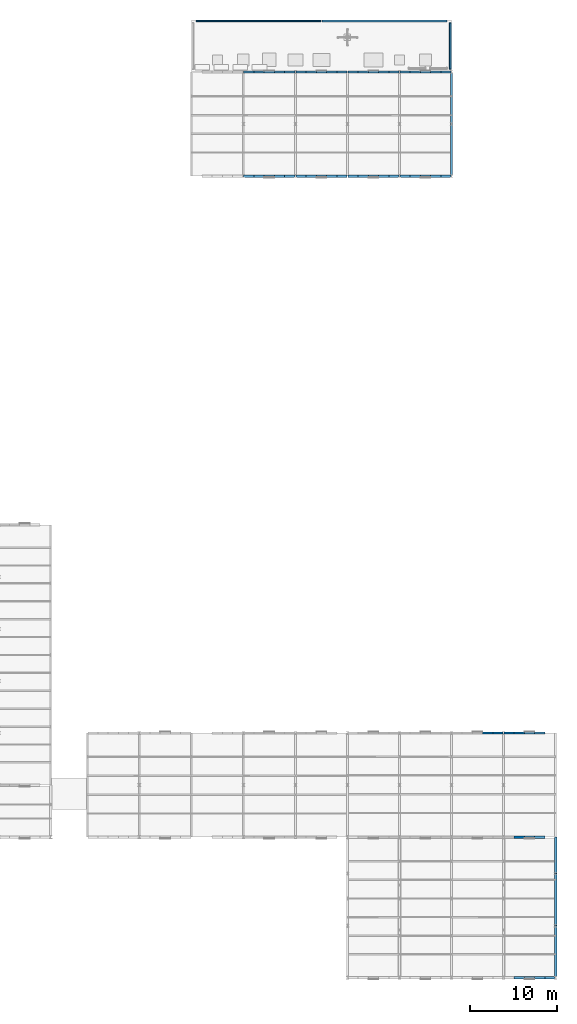
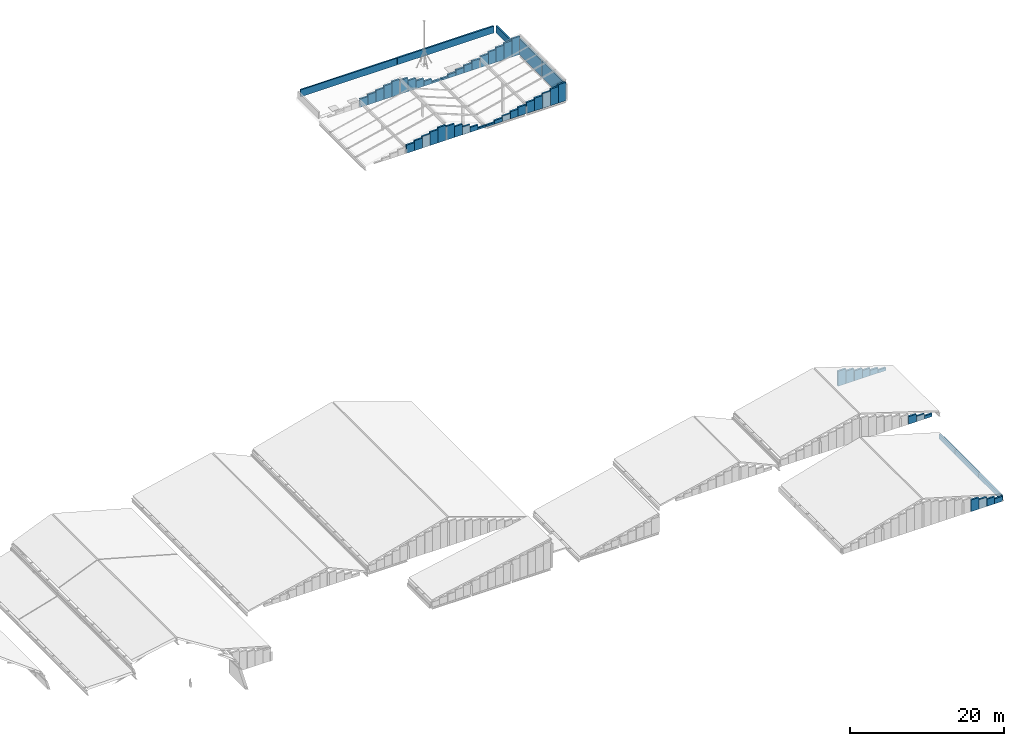
# One storey, part 67 of 74: 61 walls.
"""IFC4 building model written with IfcOpenShell, lengths in metres."""

from ifc_helpers import new_model, si_unit, direction, frame, frame_2d, origin, place, context, subcontext, project, spatial, rectangle, extrude, material, layer, layer_set, type_object, element, save


model = new_model("IFC4")

# Units and contexts
model_context = context("Model", 3, precision=1e-05, world=origin(), true_north=direction((0.0, 1.0)))
body_context = subcontext(model_context, "Body", "Model", "MODEL_VIEW")
ifc_project = project(units=[si_unit("LENGTHUNIT", "METRE"), si_unit("AREAUNIT", "SQUARE_METRE"), si_unit("VOLUMEUNIT", "CUBIC_METRE"), si_unit("PLANEANGLEUNIT", "RADIAN"), si_unit("MASSUNIT", "GRAM", prefix="KILO")], contexts=[model_context])

# Site, building, storey
site_placement = place(None, origin())
site = spatial("IfcSite", under=ifc_project, at=site_placement, CompositionType="ELEMENT")
building_placement = place(site_placement, origin())
building = spatial("IfcBuilding", under=site, at=building_placement, Name="Siltcreek Boulevard Central Fire Station", CompositionType="ELEMENT")
storey_placement = place(building_placement, frame((0.0, 0.0, 25.199951171875)))
storey = spatial("IfcBuildingStorey", under=building, at=storey_placement, Name="RF", CompositionType="ELEMENT", Elevation=25.199951171875)

# Walls
ifc_material_1 = material(Name="Western Red Cedar insulated gable wall", Category="wood")
ifc_layer_1 = layer(ifc_material_1, 0.264892578125, Name="Western Red Cedar insulated gable wall")
ifc_layer_set_1 = layer_set([ifc_layer_1], Name="Western Red Cedar insulated gable wall")
wall_type_1 = type_object("IfcWallType", Name="EW_CEDAR265", PredefinedType="STANDARD", material=ifc_layer_set_1)
wall_1_placement = place(storey_placement, frame((130.2451171875, 94.199951171875, -3.599853515625), z_axis=(0.0, 0.0, 1.0), x_axis=(1.0, 0.0, 0.0)))
element("IfcWall", 1, at=wall_1_placement, inside=storey, type_object=wall_type_1, Name="Roof gable timber-lined enclosure wall RF-V5W-0239", PredefinedType="STANDARD", context=body_context, shape_type="SweptSolid", body=[
    extrude(rectangle(XDim=1.181884765625, YDim=0.264892578125, at=frame_2d((0.5908203125, 0.0))), origin(), (0.0, 0.0, 1.0), 1.293701171875),
])
wall_2_placement = place(storey_placement, frame((131.427001953125, 94.199951171875, -3.599853515625), z_axis=(0.0, 0.0, 1.0), x_axis=(1.0, 0.0, 0.0)))
element("IfcWall", 2, at=wall_2_placement, inside=storey, type_object=wall_type_1, Name="Roof gable timber-lined enclosure wall RF-V5W-0240", PredefinedType="STANDARD", context=body_context, shape_type="SweptSolid", body=[
    extrude(rectangle(XDim=1.181884765625, YDim=0.264892578125, at=frame_2d((0.5908203125, 0.0))), origin(), (0.0, 0.0, 1.0), 1.569580078125),
])
wall_3_placement = place(storey_placement, frame((132.60888671875, 94.199951171875, -3.599853515625), z_axis=(0.0, 0.0, 1.0), x_axis=(1.0, 0.0, 0.0)))
element("IfcWall", 3, at=wall_3_placement, inside=storey, type_object=wall_type_1, Name="Roof gable timber-lined enclosure wall RF-V5W-0241", PredefinedType="STANDARD", context=body_context, shape_type="SweptSolid", body=[
    extrude(rectangle(XDim=1.18212890625, YDim=0.264892578125, at=frame_2d((0.591064453125, 0.0))), origin(), (0.0, 0.0, 1.0), 1.84521484375),
])
wall_4_placement = place(storey_placement, frame((133.791015625, 94.199951171875, -3.599853515625), z_axis=(0.0, 0.0, 1.0), x_axis=(1.0, 0.0, 0.0)))
element("IfcWall", 4, at=wall_4_placement, inside=storey, type_object=wall_type_1, Name="Roof gable timber-lined enclosure wall RF-V5W-0242", PredefinedType="STANDARD", context=body_context, shape_type="SweptSolid", body=[
    extrude(rectangle(XDim=1.181884765625, YDim=0.264892578125, at=frame_2d((0.5908203125, 0.0))), origin(), (0.0, 0.0, 1.0), 2.12109375),
])
wall_5_placement = place(storey_placement, frame((134.972900390625, 94.199951171875, -3.599853515625), z_axis=(0.0, 0.0, 1.0), x_axis=(1.0, 0.0, 0.0)))
element("IfcWall", 5, at=wall_5_placement, inside=storey, type_object=wall_type_1, Name="Roof gable timber-lined enclosure wall RF-V5W-0243", PredefinedType="STANDARD", context=body_context, shape_type="SweptSolid", body=[
    extrude(rectangle(XDim=1.18212890625, YDim=0.264892578125, at=frame_2d((0.591064453125, 0.0))), origin(), (0.0, 0.0, 1.0), 2.39697265625),
])
wall_6_placement = place(storey_placement, frame((131.427001953125, 106.199951171875, -3.599853515625), z_axis=(0.0, 0.0, 1.0), x_axis=(-1.0, 0.0, 0.0)))
element("IfcWall", 6, at=wall_6_placement, inside=storey, type_object=wall_type_1, Name="Roof gable timber-lined enclosure wall RF-V5W-0248", PredefinedType="STANDARD", context=body_context, shape_type="SweptSolid", body=[
    extrude(rectangle(XDim=1.181884765625, YDim=0.264892578125, at=frame_2d((0.5908203125, 0.0))), origin(), (0.0, 0.0, 1.0), 1.293701171875),
])
wall_7_placement = place(storey_placement, frame((132.60888671875, 106.199951171875, -3.599853515625), z_axis=(0.0, 0.0, 1.0), x_axis=(-1.0, 0.0, 0.0)))
element("IfcWall", 7, at=wall_7_placement, inside=storey, type_object=wall_type_1, Name="Roof gable timber-lined enclosure wall RF-V5W-0249", PredefinedType="STANDARD", context=body_context, shape_type="SweptSolid", body=[
    extrude(rectangle(XDim=1.181884765625, YDim=0.264892578125, at=frame_2d((0.5908203125, 0.0))), origin(), (0.0, 0.0, 1.0), 1.569580078125),
])
wall_8_placement = place(storey_placement, frame((133.791015625, 106.199951171875, -3.599853515625), z_axis=(0.0, 0.0, 1.0), x_axis=(-1.0, 0.0, 0.0)))
element("IfcWall", 8, at=wall_8_placement, inside=storey, type_object=wall_type_1, Name="Roof gable timber-lined enclosure wall RF-V5W-0250", PredefinedType="STANDARD", context=body_context, shape_type="SweptSolid", body=[
    extrude(rectangle(XDim=1.18212890625, YDim=0.264892578125, at=frame_2d((0.591064453125, 0.0))), origin(), (0.0, 0.0, 1.0), 1.84521484375),
])
wall_9_placement = place(storey_placement, frame((134.972900390625, 106.199951171875, -3.599853515625), z_axis=(0.0, 0.0, 1.0), x_axis=(-1.0, 0.0, 0.0)))
element("IfcWall", 9, at=wall_9_placement, inside=storey, type_object=wall_type_1, Name="Roof gable timber-lined enclosure wall RF-V5W-0251", PredefinedType="STANDARD", context=body_context, shape_type="SweptSolid", body=[
    extrude(rectangle(XDim=1.181884765625, YDim=0.264892578125, at=frame_2d((0.5908203125, 0.0))), origin(), (0.0, 0.0, 1.0), 2.12109375),
])
wall_10_placement = place(storey_placement, frame((136.155029296875, 106.199951171875, -3.599853515625), z_axis=(0.0, 0.0, 1.0), x_axis=(-1.0, 0.0, 0.0)))
element("IfcWall", 10, at=wall_10_placement, inside=storey, type_object=wall_type_1, Name="Roof gable timber-lined enclosure wall RF-V5W-0252", PredefinedType="STANDARD", context=body_context, shape_type="SweptSolid", body=[
    extrude(rectangle(XDim=1.18212890625, YDim=0.264892578125, at=frame_2d((0.591064453125, 0.0))), origin(), (0.0, 0.0, 1.0), 2.39697265625),
])
wall_11_placement = place(storey_placement, frame((136.2451171875, 94.199951171875, -3.599853515625), z_axis=(0.0, 0.0, 1.0), x_axis=(1.0, 0.0, 0.0)))
element("IfcWall", 11, at=wall_11_placement, inside=storey, type_object=wall_type_1, Name="Roof gable timber-lined enclosure wall RF-V5M-0253", PredefinedType="STANDARD", context=body_context, shape_type="SweptSolid", body=[
    extrude(rectangle(XDim=1.181884765625, YDim=0.264892578125, at=frame_2d((0.5908203125, 0.0))), origin(), (0.0, 0.0, 1.0), 2.1796875),
])
wall_12_placement = place(storey_placement, frame((137.427001953125, 94.199951171875, -3.599853515625), z_axis=(0.0, 0.0, 1.0), x_axis=(1.0, 0.0, 0.0)))
element("IfcWall", 12, at=wall_12_placement, inside=storey, type_object=wall_type_1, Name="Roof gable timber-lined enclosure wall RF-V5M-0254", PredefinedType="STANDARD", context=body_context, shape_type="SweptSolid", body=[
    extrude(rectangle(XDim=1.181884765625, YDim=0.264892578125, at=frame_2d((0.5908203125, 0.0))), origin(), (0.0, 0.0, 1.0), 1.70703125),
])
wall_13_placement = place(storey_placement, frame((138.60888671875, 94.199951171875, -3.599853515625), z_axis=(0.0, 0.0, 1.0), x_axis=(1.0, 0.0, 0.0)))
element("IfcWall", 13, at=wall_13_placement, inside=storey, type_object=wall_type_1, Name="Roof gable timber-lined enclosure wall RF-V5M-0255", PredefinedType="STANDARD", context=body_context, shape_type="SweptSolid", body=[
    extrude(rectangle(XDim=1.18212890625, YDim=0.264892578125, at=frame_2d((0.591064453125, 0.0))), origin(), (0.0, 0.0, 1.0), 1.234130859375),
])
wall_14_placement = place(storey_placement, frame((139.791015625, 94.199951171875, -3.599853515625), z_axis=(0.0, 0.0, 1.0), x_axis=(1.0, 0.0, 0.0)))
element("IfcWall", 14, at=wall_14_placement, inside=storey, type_object=wall_type_1, Name="Roof gable timber-lined enclosure wall RF-V5M-0256", PredefinedType="STANDARD", context=body_context, shape_type="SweptSolid", body=[
    extrude(rectangle(XDim=1.181884765625, YDim=0.264892578125, at=frame_2d((0.5908203125, 0.0))), origin(), (0.0, 0.0, 1.0), 0.761474609375),
])
wall_15_placement = place(storey_placement, frame((140.972900390625, 94.199951171875, -3.599853515625), z_axis=(0.0, 0.0, 1.0), x_axis=(1.0, 0.0, 0.0)))
element("IfcWall", 15, at=wall_15_placement, inside=storey, type_object=wall_type_1, Name="Roof gable timber-lined enclosure wall RF-V5M-0257", PredefinedType="STANDARD", context=body_context, shape_type="SweptSolid", body=[
    extrude(rectangle(XDim=1.18212890625, YDim=0.264892578125, at=frame_2d((0.591064453125, 0.0))), origin(), (0.0, 0.0, 1.0), 0.28857421875),
])
wall_16_placement = place(storey_placement, frame((137.427001953125, 106.199951171875, -3.599853515625), z_axis=(0.0, 0.0, 1.0), x_axis=(-1.0, 0.0, 0.0)))
element("IfcWall", 16, at=wall_16_placement, inside=storey, type_object=wall_type_1, Name="Roof gable timber-lined enclosure wall RF-V5M-0258", PredefinedType="STANDARD", context=body_context, shape_type="SweptSolid", body=[
    extrude(rectangle(XDim=1.181884765625, YDim=0.264892578125, at=frame_2d((0.5908203125, 0.0))), origin(), (0.0, 0.0, 1.0), 2.1796875),
])
wall_17_placement = place(storey_placement, frame((138.60888671875, 106.199951171875, -3.599853515625), z_axis=(0.0, 0.0, 1.0), x_axis=(-1.0, 0.0, 0.0)))
element("IfcWall", 17, at=wall_17_placement, inside=storey, type_object=wall_type_1, Name="Roof gable timber-lined enclosure wall RF-V5M-0259", PredefinedType="STANDARD", context=body_context, shape_type="SweptSolid", body=[
    extrude(rectangle(XDim=1.181884765625, YDim=0.264892578125, at=frame_2d((0.5908203125, 0.0))), origin(), (0.0, 0.0, 1.0), 1.70703125),
])
wall_18_placement = place(storey_placement, frame((139.791015625, 106.199951171875, -3.599853515625), z_axis=(0.0, 0.0, 1.0), x_axis=(-1.0, 0.0, 0.0)))
element("IfcWall", 18, at=wall_18_placement, inside=storey, type_object=wall_type_1, Name="Roof gable timber-lined enclosure wall RF-V5M-0260", PredefinedType="STANDARD", context=body_context, shape_type="SweptSolid", body=[
    extrude(rectangle(XDim=1.18212890625, YDim=0.264892578125, at=frame_2d((0.591064453125, 0.0))), origin(), (0.0, 0.0, 1.0), 1.234130859375),
])
wall_19_placement = place(storey_placement, frame((140.972900390625, 106.199951171875, -3.599853515625), z_axis=(0.0, 0.0, 1.0), x_axis=(-1.0, 0.0, 0.0)))
element("IfcWall", 19, at=wall_19_placement, inside=storey, type_object=wall_type_1, Name="Roof gable timber-lined enclosure wall RF-V5M-0261", PredefinedType="STANDARD", context=body_context, shape_type="SweptSolid", body=[
    extrude(rectangle(XDim=1.181884765625, YDim=0.264892578125, at=frame_2d((0.5908203125, 0.0))), origin(), (0.0, 0.0, 1.0), 0.761474609375),
])
wall_20_placement = place(storey_placement, frame((142.155029296875, 106.199951171875, -3.599853515625), z_axis=(0.0, 0.0, 1.0), x_axis=(-1.0, 0.0, 0.0)))
element("IfcWall", 20, at=wall_20_placement, inside=storey, type_object=wall_type_1, Name="Roof gable timber-lined enclosure wall RF-V5M-0262", PredefinedType="STANDARD", context=body_context, shape_type="SweptSolid", body=[
    extrude(rectangle(XDim=1.18212890625, YDim=0.264892578125, at=frame_2d((0.591064453125, 0.0))), origin(), (0.0, 0.0, 1.0), 0.28857421875),
])
wall_21_placement = place(storey_placement, frame((142.2451171875, 94.199951171875, -3.599853515625), z_axis=(0.0, 0.0, 1.0), x_axis=(1.0, 0.0, 0.0)))
element("IfcWall", 21, at=wall_21_placement, inside=storey, type_object=wall_type_1, Name="Roof gable timber-lined enclosure wall RF-V5E-0263", PredefinedType="STANDARD", context=body_context, shape_type="SweptSolid", body=[
    extrude(rectangle(XDim=1.181884765625, YDim=0.264892578125, at=frame_2d((0.5908203125, 0.0))), origin(), (0.0, 0.0, 1.0), 0.293701171875),
])
wall_22_placement = place(storey_placement, frame((143.427001953125, 94.199951171875, -3.599853515625), z_axis=(0.0, 0.0, 1.0), x_axis=(1.0, 0.0, 0.0)))
element("IfcWall", 22, at=wall_22_placement, inside=storey, type_object=wall_type_1, Name="Roof gable timber-lined enclosure wall RF-V5E-0264", PredefinedType="STANDARD", context=body_context, shape_type="SweptSolid", body=[
    extrude(rectangle(XDim=1.181884765625, YDim=0.264892578125, at=frame_2d((0.5908203125, 0.0))), origin(), (0.0, 0.0, 1.0), 0.5791015625),
])
wall_23_placement = place(storey_placement, frame((144.60888671875, 94.199951171875, -3.599853515625), z_axis=(0.0, 0.0, 1.0), x_axis=(1.0, 0.0, 0.0)))
element("IfcWall", 23, at=wall_23_placement, inside=storey, type_object=wall_type_1, Name="Roof gable timber-lined enclosure wall RF-V5E-0265", PredefinedType="STANDARD", context=body_context, shape_type="SweptSolid", body=[
    extrude(rectangle(XDim=1.18212890625, YDim=0.264892578125, at=frame_2d((0.591064453125, 0.0))), origin(), (0.0, 0.0, 1.0), 0.864990234375),
])
wall_24_placement = place(storey_placement, frame((145.791015625, 94.199951171875, -3.599853515625), z_axis=(0.0, 0.0, 1.0), x_axis=(1.0, 0.0, 0.0)))
element("IfcWall", 24, at=wall_24_placement, inside=storey, type_object=wall_type_1, Name="Roof gable timber-lined enclosure wall RF-V5E-0266", PredefinedType="STANDARD", context=body_context, shape_type="SweptSolid", body=[
    extrude(rectangle(XDim=1.181884765625, YDim=0.264892578125, at=frame_2d((0.5908203125, 0.0))), origin(), (0.0, 0.0, 1.0), 1.150390625),
])
wall_25_placement = place(storey_placement, frame((146.972900390625, 94.199951171875, -3.599853515625), z_axis=(0.0, 0.0, 1.0), x_axis=(1.0, 0.0, 0.0)))
element("IfcWall", 25, at=wall_25_placement, inside=storey, type_object=wall_type_1, Name="Roof gable timber-lined enclosure wall RF-V5E-0267", PredefinedType="STANDARD", context=body_context, shape_type="SweptSolid", body=[
    extrude(rectangle(XDim=1.18212890625, YDim=0.264892578125, at=frame_2d((0.591064453125, 0.0))), origin(), (0.0, 0.0, 1.0), 1.436279296875),
])
wall_26_placement = place(storey_placement, frame((148.2451171875, 94.199951171875, -3.599853515625), z_axis=(0.0, 0.0, 1.0), x_axis=(1.0, 0.0, 0.0)))
element("IfcWall", 26, at=wall_26_placement, inside=storey, type_object=wall_type_1, Name="Roof gable timber-lined enclosure wall RF-V5E-0268", PredefinedType="STANDARD", context=body_context, shape_type="SweptSolid", body=[
    extrude(rectangle(XDim=1.181884765625, YDim=0.264892578125, at=frame_2d((0.5908203125, 0.0))), origin(), (0.0, 0.0, 1.0), 1.74365234375),
])
wall_27_placement = place(storey_placement, frame((149.427001953125, 94.199951171875, -3.599853515625), z_axis=(0.0, 0.0, 1.0), x_axis=(1.0, 0.0, 0.0)))
element("IfcWall", 27, at=wall_27_placement, inside=storey, type_object=wall_type_1, Name="Roof gable timber-lined enclosure wall RF-V5E-0269", PredefinedType="STANDARD", context=body_context, shape_type="SweptSolid", body=[
    extrude(rectangle(XDim=1.181884765625, YDim=0.264892578125, at=frame_2d((0.5908203125, 0.0))), origin(), (0.0, 0.0, 1.0), 2.029296875),
])
wall_28_placement = place(storey_placement, frame((150.60888671875, 94.199951171875, -3.599853515625), z_axis=(0.0, 0.0, 1.0), x_axis=(1.0, 0.0, 0.0)))
element("IfcWall", 28, at=wall_28_placement, inside=storey, type_object=wall_type_1, Name="Roof gable timber-lined enclosure wall RF-V5E-0270", PredefinedType="STANDARD", context=body_context, shape_type="SweptSolid", body=[
    extrude(rectangle(XDim=1.18212890625, YDim=0.264892578125, at=frame_2d((0.591064453125, 0.0))), origin(), (0.0, 0.0, 1.0), 2.31494140625),
])
wall_29_placement = place(storey_placement, frame((151.791015625, 94.199951171875, -3.599853515625), z_axis=(0.0, 0.0, 1.0), x_axis=(1.0, 0.0, 0.0)))
element("IfcWall", 29, at=wall_29_placement, inside=storey, type_object=wall_type_1, Name="Roof gable timber-lined enclosure wall RF-V5E-0271", PredefinedType="STANDARD", context=body_context, shape_type="SweptSolid", body=[
    extrude(rectangle(XDim=1.181884765625, YDim=0.264892578125, at=frame_2d((0.5908203125, 0.0))), origin(), (0.0, 0.0, 1.0), 2.6005859375),
])
wall_30_placement = place(storey_placement, frame((152.972900390625, 94.199951171875, -3.599853515625), z_axis=(0.0, 0.0, 1.0), x_axis=(1.0, 0.0, 0.0)))
element("IfcWall", 30, at=wall_30_placement, inside=storey, type_object=wall_type_1, Name="Roof gable timber-lined enclosure wall RF-V5E-0272", PredefinedType="STANDARD", context=body_context, shape_type="SweptSolid", body=[
    extrude(rectangle(XDim=1.18212890625, YDim=0.264892578125, at=frame_2d((0.591064453125, 0.0))), origin(), (0.0, 0.0, 1.0), 2.88623046875),
])
wall_31_placement = place(storey_placement, frame((143.427001953125, 106.199951171875, -3.599853515625), z_axis=(0.0, 0.0, 1.0), x_axis=(-1.0, 0.0, 0.0)))
element("IfcWall", 31, at=wall_31_placement, inside=storey, type_object=wall_type_1, Name="Roof gable timber-lined enclosure wall RF-V5E-0273", PredefinedType="STANDARD", context=body_context, shape_type="SweptSolid", body=[
    extrude(rectangle(XDim=1.181884765625, YDim=0.264892578125, at=frame_2d((0.5908203125, 0.0))), origin(), (0.0, 0.0, 1.0), 0.293701171875),
])
wall_32_placement = place(storey_placement, frame((144.60888671875, 106.199951171875, -3.599853515625), z_axis=(0.0, 0.0, 1.0), x_axis=(-1.0, 0.0, 0.0)))
element("IfcWall", 32, at=wall_32_placement, inside=storey, type_object=wall_type_1, Name="Roof gable timber-lined enclosure wall RF-V5E-0274", PredefinedType="STANDARD", context=body_context, shape_type="SweptSolid", body=[
    extrude(rectangle(XDim=1.181884765625, YDim=0.264892578125, at=frame_2d((0.5908203125, 0.0))), origin(), (0.0, 0.0, 1.0), 0.5791015625),
])
wall_33_placement = place(storey_placement, frame((145.791015625, 106.199951171875, -3.599853515625), z_axis=(0.0, 0.0, 1.0), x_axis=(-1.0, 0.0, 0.0)))
element("IfcWall", 33, at=wall_33_placement, inside=storey, type_object=wall_type_1, Name="Roof gable timber-lined enclosure wall RF-V5E-0275", PredefinedType="STANDARD", context=body_context, shape_type="SweptSolid", body=[
    extrude(rectangle(XDim=1.18212890625, YDim=0.264892578125, at=frame_2d((0.591064453125, 0.0))), origin(), (0.0, 0.0, 1.0), 0.864990234375),
])
wall_34_placement = place(storey_placement, frame((146.972900390625, 106.199951171875, -3.599853515625), z_axis=(0.0, 0.0, 1.0), x_axis=(-1.0, 0.0, 0.0)))
element("IfcWall", 34, at=wall_34_placement, inside=storey, type_object=wall_type_1, Name="Roof gable timber-lined enclosure wall RF-V5E-0276", PredefinedType="STANDARD", context=body_context, shape_type="SweptSolid", body=[
    extrude(rectangle(XDim=1.181884765625, YDim=0.264892578125, at=frame_2d((0.5908203125, 0.0))), origin(), (0.0, 0.0, 1.0), 1.150390625),
])
wall_35_placement = place(storey_placement, frame((148.155029296875, 106.199951171875, -3.599853515625), z_axis=(0.0, 0.0, 1.0), x_axis=(-1.0, 0.0, 0.0)))
element("IfcWall", 35, at=wall_35_placement, inside=storey, type_object=wall_type_1, Name="Roof gable timber-lined enclosure wall RF-V5E-0277", PredefinedType="STANDARD", context=body_context, shape_type="SweptSolid", body=[
    extrude(rectangle(XDim=1.18212890625, YDim=0.264892578125, at=frame_2d((0.591064453125, 0.0))), origin(), (0.0, 0.0, 1.0), 1.436279296875),
])
wall_36_placement = place(storey_placement, frame((149.427001953125, 106.199951171875, -3.599853515625), z_axis=(0.0, 0.0, 1.0), x_axis=(-1.0, 0.0, 0.0)))
element("IfcWall", 36, at=wall_36_placement, inside=storey, type_object=wall_type_1, Name="Roof gable timber-lined enclosure wall RF-V5E-0278", PredefinedType="STANDARD", context=body_context, shape_type="SweptSolid", body=[
    extrude(rectangle(XDim=1.181884765625, YDim=0.264892578125, at=frame_2d((0.5908203125, 0.0))), origin(), (0.0, 0.0, 1.0), 1.74365234375),
])
wall_37_placement = place(storey_placement, frame((150.60888671875, 106.199951171875, -3.599853515625), z_axis=(0.0, 0.0, 1.0), x_axis=(-1.0, 0.0, 0.0)))
element("IfcWall", 37, at=wall_37_placement, inside=storey, type_object=wall_type_1, Name="Roof gable timber-lined enclosure wall RF-V5E-0279", PredefinedType="STANDARD", context=body_context, shape_type="SweptSolid", body=[
    extrude(rectangle(XDim=1.181884765625, YDim=0.264892578125, at=frame_2d((0.5908203125, 0.0))), origin(), (0.0, 0.0, 1.0), 2.029296875),
])
wall_38_placement = place(storey_placement, frame((151.791015625, 106.199951171875, -3.599853515625), z_axis=(0.0, 0.0, 1.0), x_axis=(-1.0, 0.0, 0.0)))
element("IfcWall", 38, at=wall_38_placement, inside=storey, type_object=wall_type_1, Name="Roof gable timber-lined enclosure wall RF-V5E-0280", PredefinedType="STANDARD", context=body_context, shape_type="SweptSolid", body=[
    extrude(rectangle(XDim=1.18212890625, YDim=0.264892578125, at=frame_2d((0.591064453125, 0.0))), origin(), (0.0, 0.0, 1.0), 2.31494140625),
])
wall_39_placement = place(storey_placement, frame((152.972900390625, 106.199951171875, -3.599853515625), z_axis=(0.0, 0.0, 1.0), x_axis=(-1.0, 0.0, 0.0)))
element("IfcWall", 39, at=wall_39_placement, inside=storey, type_object=wall_type_1, Name="Roof gable timber-lined enclosure wall RF-V5E-0281", PredefinedType="STANDARD", context=body_context, shape_type="SweptSolid", body=[
    extrude(rectangle(XDim=1.181884765625, YDim=0.264892578125, at=frame_2d((0.5908203125, 0.0))), origin(), (0.0, 0.0, 1.0), 2.6005859375),
])
wall_40_placement = place(storey_placement, frame((154.155029296875, 106.199951171875, -3.599853515625), z_axis=(0.0, 0.0, 1.0), x_axis=(-1.0, 0.0, 0.0)))
element("IfcWall", 40, at=wall_40_placement, inside=storey, type_object=wall_type_1, Name="Roof gable timber-lined enclosure wall RF-V5E-0282", PredefinedType="STANDARD", context=body_context, shape_type="SweptSolid", body=[
    extrude(rectangle(XDim=1.18212890625, YDim=0.264892578125, at=frame_2d((0.591064453125, 0.0))), origin(), (0.0, 0.0, 1.0), 2.88623046875),
])
for number, where, z_axis, x_axis, name in (
    (41, (154.199951171875, 94.33251953125, -3.599853515625), (0.0, 0.0, 1.0), (0.0, 1.0, 0.0), "Roof step cheek enclosure wall RF-V5E-0283"),
    (42, (154.199951171875, 100.199951171875, -3.599853515625), (0.0, 0.0, 1.0), (0.0, 1.0, 0.0), "Roof step cheek enclosure wall RF-V5E-0284"),
):
    element("IfcWall", number, at=place(storey_placement, frame(where, z_axis=z_axis, x_axis=x_axis)), inside=storey, type_object=wall_type_1, Name=name, PredefinedType="STANDARD", context=body_context, shape_type="SweptSolid", body=[
        extrude(rectangle(XDim=5.867431640625, YDim=0.264892578125, at=frame_2d((2.93359375, 0.0))), origin(), (0.0, 0.0, 1.0), 2.577392578125),
    ])
wall_41_placement = place(storey_placement, frame((161.427001953125, 1.800048828125, -15.199951171875), z_axis=(0.0, 0.0, 1.0), x_axis=(1.0, 0.0, 0.0)))
element("IfcWall", 43, at=wall_41_placement, inside=storey, type_object=wall_type_1, Name="Roof gable timber-lined enclosure wall RF-H8E-TH-0346", PredefinedType="STANDARD", context=body_context, shape_type="SweptSolid", body=[
    extrude(rectangle(XDim=1.181884765625, YDim=0.264892578125, at=frame_2d((0.5908203125, 0.0))), origin(), (0.0, 0.0, 1.0), 1.826904296875),
])
wall_42_placement = place(storey_placement, frame((162.60888671875, 1.800048828125, -15.199951171875), z_axis=(0.0, 0.0, 1.0), x_axis=(1.0, 0.0, 0.0)))
element("IfcWall", 44, at=wall_42_placement, inside=storey, type_object=wall_type_1, Name="Roof gable timber-lined enclosure wall RF-H8E-TH-0347", PredefinedType="STANDARD", context=body_context, shape_type="SweptSolid", body=[
    extrude(rectangle(XDim=1.18212890625, YDim=0.264892578125, at=frame_2d((0.591064453125, 0.0))), origin(), (0.0, 0.0, 1.0), 1.482177734375),
])
wall_43_placement = place(storey_placement, frame((163.791015625, 1.800048828125, -15.199951171875), z_axis=(0.0, 0.0, 1.0), x_axis=(1.0, 0.0, 0.0)))
element("IfcWall", 45, at=wall_43_placement, inside=storey, type_object=wall_type_1, Name="Roof gable timber-lined enclosure wall RF-H8E-TH-0348", PredefinedType="STANDARD", context=body_context, shape_type="SweptSolid", body=[
    extrude(rectangle(XDim=1.181884765625, YDim=0.264892578125, at=frame_2d((0.5908203125, 0.0))), origin(), (0.0, 0.0, 1.0), 1.137451171875),
])
wall_44_placement = place(storey_placement, frame((164.972900390625, 1.800048828125, -15.199951171875), z_axis=(0.0, 0.0, 1.0), x_axis=(1.0, 0.0, 0.0)))
element("IfcWall", 46, at=wall_44_placement, inside=storey, type_object=wall_type_1, Name="Roof gable timber-lined enclosure wall RF-H8E-TH-0349", PredefinedType="STANDARD", context=body_context, shape_type="SweptSolid", body=[
    extrude(rectangle(XDim=1.18212890625, YDim=0.264892578125, at=frame_2d((0.591064453125, 0.0))), origin(), (0.0, 0.0, 1.0), 0.792724609375),
])
wall_45_placement = place(storey_placement, frame((166.199951171875, 1.9326171875, -15.199951171875), z_axis=(0.0, 0.0, 1.0), x_axis=(0.0, 1.0, 0.0)))
element("IfcWall", 47, at=wall_45_placement, inside=storey, type_object=wall_type_1, Name="Roof step cheek enclosure wall RF-H8E-TH-0350", PredefinedType="STANDARD", context=body_context, shape_type="SweptSolid", body=[
    extrude(rectangle(XDim=5.867431640625, YDim=0.264892578125, at=frame_2d((2.93359375, 0.0))), origin(), (0.0, 0.0, 1.0), 0.779541015625),
])
wall_46_placement = place(storey_placement, frame((166.199951171875, 7.800048828125, -15.199951171875), z_axis=(0.0, 0.0, 1.0), x_axis=(0.0, 1.0, 0.0)))
element("IfcWall", 48, at=wall_46_placement, inside=storey, type_object=wall_type_1, Name="Roof step cheek enclosure wall RF-H8E-TH-0351", PredefinedType="STANDARD", context=body_context, shape_type="SweptSolid", body=[
    extrude(rectangle(XDim=6.0, YDim=0.264892578125, at=frame_2d((3.0, 0.0))), origin(), (0.0, 0.0, 1.0), 0.779541015625),
])
wall_47_placement = place(storey_placement, frame((166.199951171875, 13.800048828125, -15.199951171875), z_axis=(0.0, 0.0, 1.0), x_axis=(0.0, 1.0, 0.0)))
element("IfcWall", 49, at=wall_47_placement, inside=storey, type_object=wall_type_1, Name="Roof step cheek enclosure wall RF-H8E-TH-0352", PredefinedType="STANDARD", context=body_context, shape_type="SweptSolid", body=[
    extrude(rectangle(XDim=4.199951171875, YDim=0.264892578125, at=frame_2d((2.10009765625, 0.0))), origin(), (0.0, 0.0, 1.0), 0.779541015625),
])
wall_48_placement = place(storey_placement, frame((161.427001953125, 18.0, -11.199951171875), z_axis=(0.0, 0.0, 1.0), x_axis=(1.0, 0.0, 0.0)))
element("IfcWall", 50, at=wall_48_placement, inside=storey, type_object=wall_type_1, Name="Roof gable timber-lined enclosure wall RF-H8E-UP-0381", PredefinedType="STANDARD", context=body_context, shape_type="SweptSolid", body=[
    extrude(rectangle(XDim=1.181884765625, YDim=0.264892578125, at=frame_2d((0.5908203125, 0.0))), origin(), (0.0, 0.0, 1.0), 1.21484375),
])
wall_49_placement = place(storey_placement, frame((162.60888671875, 18.0, -11.199951171875), z_axis=(0.0, 0.0, 1.0), x_axis=(1.0, 0.0, 0.0)))
element("IfcWall", 51, at=wall_49_placement, inside=storey, type_object=wall_type_1, Name="Roof gable timber-lined enclosure wall RF-H8E-UP-0382", PredefinedType="STANDARD", context=body_context, shape_type="SweptSolid", body=[
    extrude(rectangle(XDim=1.18212890625, YDim=0.264892578125, at=frame_2d((0.591064453125, 0.0))), origin(), (0.0, 0.0, 1.0), 0.840576171875),
])
wall_50_placement = place(storey_placement, frame((163.791015625, 18.0, -11.199951171875), z_axis=(0.0, 0.0, 1.0), x_axis=(1.0, 0.0, 0.0)))
element("IfcWall", 52, at=wall_50_placement, inside=storey, type_object=wall_type_1, Name="Roof gable timber-lined enclosure wall RF-H8E-UP-0383", PredefinedType="STANDARD", context=body_context, shape_type="SweptSolid", body=[
    extrude(rectangle(XDim=1.181884765625, YDim=0.264892578125, at=frame_2d((0.5908203125, 0.0))), origin(), (0.0, 0.0, 1.0), 0.46630859375),
])
wall_51_placement = place(storey_placement, frame((158.972900390625, 30.0, -11.199951171875), z_axis=(0.0, 0.0, 1.0), x_axis=(-1.0, 0.0, 0.0)))
element("IfcWall", 53, at=wall_51_placement, inside=storey, type_object=wall_type_1, Name="Roof gable timber-lined enclosure wall RF-H8E-UP-0387", PredefinedType="STANDARD", context=body_context, shape_type="SweptSolid", body=[
    extrude(rectangle(XDim=1.181884765625, YDim=0.264892578125, at=frame_2d((0.5908203125, 0.0))), origin(), (0.0, 0.0, 1.0), 2.3662109375),
])
wall_52_placement = place(storey_placement, frame((160.155029296875, 30.0, -11.199951171875), z_axis=(0.0, 0.0, 1.0), x_axis=(-1.0, 0.0, 0.0)))
element("IfcWall", 54, at=wall_52_placement, inside=storey, type_object=wall_type_1, Name="Roof gable timber-lined enclosure wall RF-H8E-UP-0388", PredefinedType="STANDARD", context=body_context, shape_type="SweptSolid", body=[
    extrude(rectangle(XDim=1.18212890625, YDim=0.264892578125, at=frame_2d((0.591064453125, 0.0))), origin(), (0.0, 0.0, 1.0), 1.991943359375),
])
wall_53_placement = place(storey_placement, frame((161.427001953125, 30.0, -11.199951171875), z_axis=(0.0, 0.0, 1.0), x_axis=(-1.0, 0.0, 0.0)))
element("IfcWall", 55, at=wall_53_placement, inside=storey, type_object=wall_type_1, Name="Roof gable timber-lined enclosure wall RF-H8E-UP-0389", PredefinedType="STANDARD", context=body_context, shape_type="SweptSolid", body=[
    extrude(rectangle(XDim=1.181884765625, YDim=0.264892578125, at=frame_2d((0.5908203125, 0.0))), origin(), (0.0, 0.0, 1.0), 1.589111328125),
])
wall_54_placement = place(storey_placement, frame((162.60888671875, 30.0, -11.199951171875), z_axis=(0.0, 0.0, 1.0), x_axis=(-1.0, 0.0, 0.0)))
element("IfcWall", 56, at=wall_54_placement, inside=storey, type_object=wall_type_1, Name="Roof gable timber-lined enclosure wall RF-H8E-UP-0390", PredefinedType="STANDARD", context=body_context, shape_type="SweptSolid", body=[
    extrude(rectangle(XDim=1.181884765625, YDim=0.264892578125, at=frame_2d((0.5908203125, 0.0))), origin(), (0.0, 0.0, 1.0), 1.21484375),
])
wall_55_placement = place(storey_placement, frame((163.791015625, 30.0, -11.199951171875), z_axis=(0.0, 0.0, 1.0), x_axis=(-1.0, 0.0, 0.0)))
element("IfcWall", 57, at=wall_55_placement, inside=storey, type_object=wall_type_1, Name="Roof gable timber-lined enclosure wall RF-H8E-UP-0391", PredefinedType="STANDARD", context=body_context, shape_type="SweptSolid", body=[
    extrude(rectangle(XDim=1.18212890625, YDim=0.264892578125, at=frame_2d((0.591064453125, 0.0))), origin(), (0.0, 0.0, 1.0), 0.840576171875),
])
wall_56_placement = place(storey_placement, frame((164.972900390625, 30.0, -11.199951171875), z_axis=(0.0, 0.0, 1.0), x_axis=(-1.0, 0.0, 0.0)))
element("IfcWall", 58, at=wall_56_placement, inside=storey, type_object=wall_type_1, Name="Roof gable timber-lined enclosure wall RF-H8E-UP-0392", PredefinedType="STANDARD", context=body_context, shape_type="SweptSolid", body=[
    extrude(rectangle(XDim=1.181884765625, YDim=0.264892578125, at=frame_2d((0.5908203125, 0.0))), origin(), (0.0, 0.0, 1.0), 0.46630859375),
])
ifc_material_2 = material(Name="Terracotta brick-coped parapet wall", Category="masonry")
ifc_layer_2 = layer(ifc_material_2, 0.215087890625, Name="Terracotta brick-coped parapet wall")
ifc_layer_set_2 = layer_set([ifc_layer_2], Name="Terracotta brick-coped parapet wall")
wall_type_2 = type_object("IfcWallType", Name="EW_PARAP215", PredefinedType="PARAPET", material=ifc_layer_set_2)
wall_57_placement = place(storey_placement, frame((124.75, 112.080078125, -3.599853515625), z_axis=(0.0, 0.0, 1.0), x_axis=(1.0, 0.0, 0.0)))
element("IfcWall", 59, at=wall_57_placement, inside=storey, type_object=wall_type_2, Name="Roof maintenance parapet wall V5-N1", PredefinedType="PARAPET", context=body_context, shape_type="SweptSolid", body=[
    extrude(rectangle(XDim=14.39990234375, YDim=0.215087890625, at=frame_2d((7.199951171875, 0.0))), origin(), (0.0, 0.0, 1.0), 1.099853515625),
])
wall_58_placement = place(storey_placement, frame((154.050048828125, 106.5, -3.599853515625), z_axis=(0.0, 0.0, 1.0), x_axis=(0.0, 1.0, 0.0)))
element("IfcWall", 60, at=wall_58_placement, inside=storey, type_object=wall_type_2, Name="Roof curb side parapet wall V5E", PredefinedType="PARAPET", context=body_context, shape_type="SweptSolid", body=[
    extrude(rectangle(XDim=5.39990234375, YDim=0.215087890625, at=frame_2d((2.699951171875, 0.0))), origin(), (0.0, 0.0, 1.0), 1.099853515625),
])
ifc_material_3 = material(Name="Frey sage-green aluminum-coped parapet wall", Category="aluminium")
ifc_layer_3 = layer(ifc_material_3, 0.235107421875, Name="Frey sage-green aluminum-coped parapet wall")
ifc_layer_set_3 = layer_set([ifc_layer_3], Name="Frey sage-green aluminum-coped parapet wall")
wall_type_3 = type_object("IfcWallType", Name="EW_PARAP235", PredefinedType="PARAPET", material=ifc_layer_set_3)
wall_59_placement = place(storey_placement, frame((139.25, 112.080078125, -3.599853515625), z_axis=(0.0, 0.0, 1.0), x_axis=(1.0, 0.0, 0.0)))
element("IfcWall", 61, at=wall_59_placement, inside=storey, type_object=wall_type_3, Name="Roof maintenance parapet wall V5-N2", PredefinedType="PARAPET", context=body_context, shape_type="SweptSolid", body=[
    extrude(rectangle(XDim=14.39990234375, YDim=0.235107421875, at=frame_2d((7.199951171875, 0.0))), origin(), (0.0, 0.0, 1.0), 1.099853515625),
])

save(model, "model.ifc")
